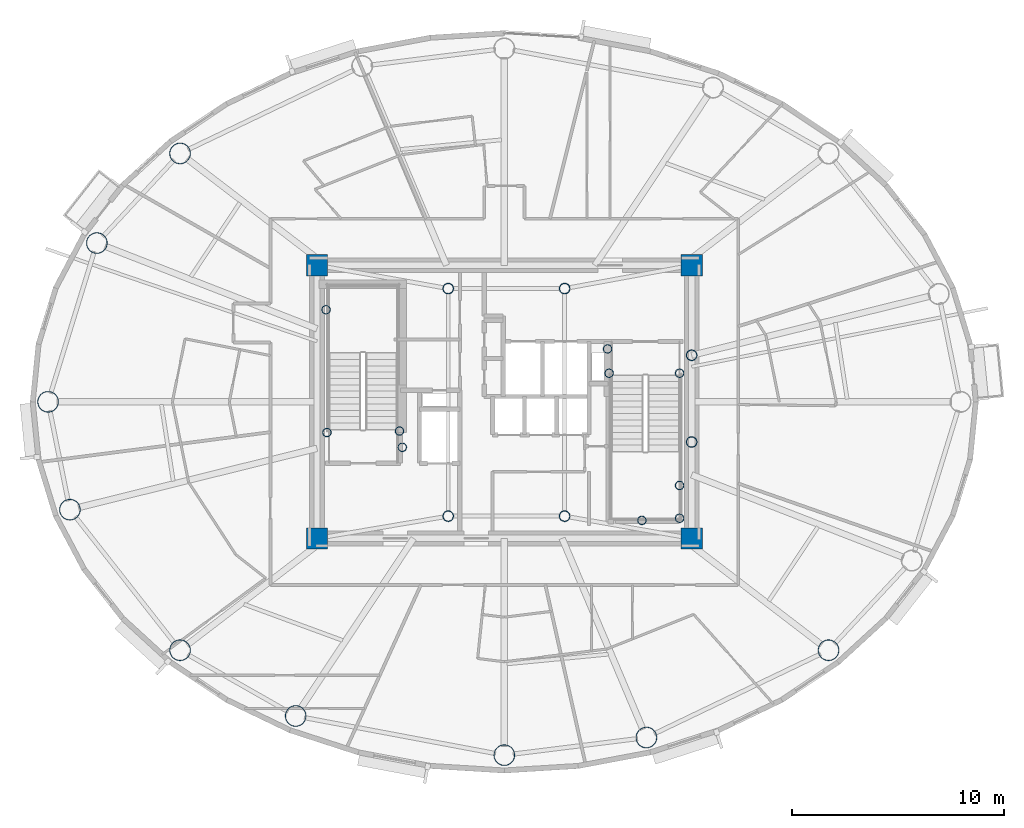
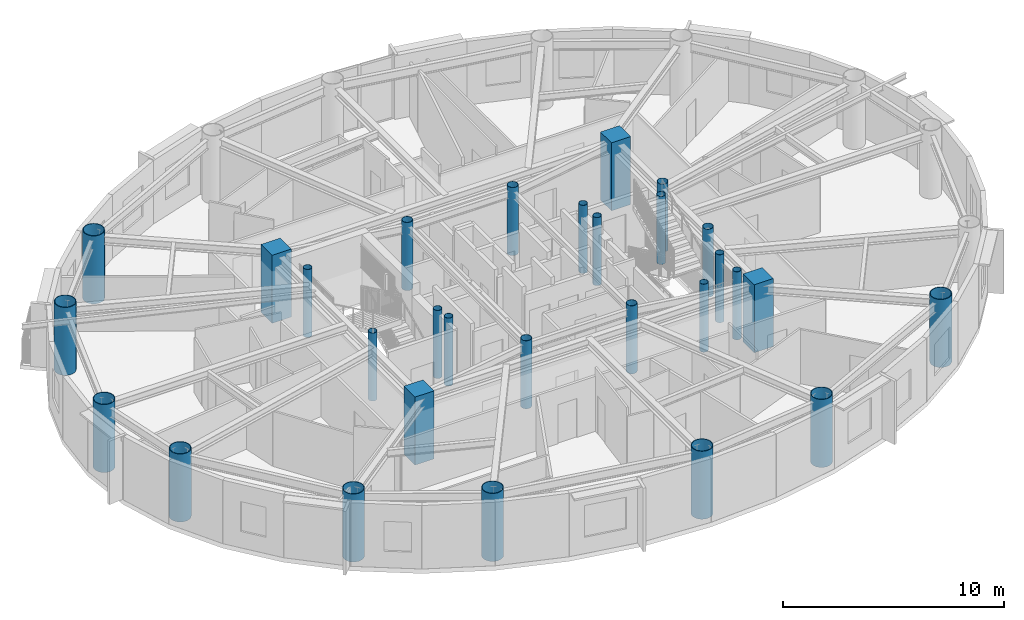
# One storey, part 1 of 17: 29 columns.
"""IFC4 building model written with IfcOpenShell, lengths in metres."""

from ifc_helpers import new_model, si_unit, direction, frame, origin, origin_2d, place, context, subcontext, project, spatial, rectangle, hollow_circle, extrude, material, material_profile, profile_set, type_object, element, save


model = new_model("IFC4")

# Units and contexts
model_context = context("Model", 3, precision=1e-05, world=origin(), true_north=direction((0.0, 1.0)))
body_context = subcontext(model_context, "Body", "Model", "MODEL_VIEW")
ifc_project = project(units=[si_unit("LENGTHUNIT", "METRE"), si_unit("AREAUNIT", "SQUARE_METRE"), si_unit("VOLUMEUNIT", "CUBIC_METRE"), si_unit("PLANEANGLEUNIT", "RADIAN"), si_unit("MASSUNIT", "GRAM", prefix="KILO")], contexts=[model_context])

# Site, building, storey
site_placement = place(None, origin())
site = spatial("IfcSite", under=ifc_project, at=site_placement, CompositionType="ELEMENT")
building_placement = place(site_placement, origin())
building = spatial("IfcBuilding", under=site, at=building_placement, Name="Linh Dai School and Residence Tower", CompositionType="ELEMENT")
storey_placement = place(building_placement, frame((0.0, 0.0, 299.25)))
storey = spatial("IfcBuildingStorey", under=building, at=storey_placement, Name="L74", CompositionType="ELEMENT", Elevation=299.25)

# Columns
ifc_material_1 = material(Name="Concrete B45 (C35/45)", Category="concrete")
ifc_material_profile_1 = material_profile(ifc_material_1, rectangle(XDim=1.0, YDim=1.0, at=origin_2d()), Name="RC 1000x1000")
ifc_profile_set_1 = profile_set([ifc_material_profile_1], Name="Concrete B45 (C35/45)")
column_type_1 = type_object("IfcColumnType", Name="COL-CC3", PredefinedType="COLUMN", material=ifc_profile_set_1)
for number, where, z_axis, x_axis, name in (
    (1, (27.14990234375, 20.550048828125, 0.0), (0.0, 0.0, 1.0), (1.0, 0.0, 0.0), "L74 Core Corner Pier CC1"),
    (2, (44.85009765625, 20.550048828125, 0.0), (0.0, 0.0, 1.0), (1.0, 0.0, 0.0), "L74 Core Corner Pier CC2"),
    (3, (44.85009765625, 33.449951171875, 0.0), (0.0, 0.0, 1.0), (1.0, 0.0, 0.0), "L74 Core Corner Pier CC3"),
    (4, (27.14990234375, 33.449951171875, 0.0), (0.0, 0.0, 1.0), (1.0, 0.0, 0.0), "L74 Core Corner Pier CC4"),
):
    element("IfcColumn", number, at=place(storey_placement, frame(where, z_axis=z_axis, x_axis=x_axis)), inside=storey, type_object=column_type_1, Name=name, PredefinedType="COLUMN", context=body_context, shape_type="SweptSolid", body=[
        extrude(rectangle(XDim=1.0, YDim=1.0, at=origin_2d()), origin(), (0.0, 0.0, 1.0), 3.75),
    ])
ifc_material_2 = material(Name="Structural Steel S355JR", Category="steel")
ifc_material_profile_2 = material_profile(ifc_material_2, hollow_circle(Radius=0.203125, WallThickness=0.01611328125, at=origin_2d()), Name="CHS 406.4x16")
ifc_profile_set_2 = profile_set([ifc_material_profile_2], Name="Structural Steel S355JR")
column_type_2 = type_object("IfcColumnType", Name="COL-EC", PredefinedType="COLUMN", material=ifc_profile_set_2)
for number, where, z_axis, x_axis, name in (
    (5, (27.580078125, 31.35009765625, 0.0), (0.0, 0.0, 1.0), (1.0, 0.0, 0.0), "L74 Stair Shaft Landing Support Pier ST1NW"),
    (6, (31.050048828125, 25.6201171875, 0.0), (0.0, 0.0, 1.0), (1.0, 0.0, 0.0), "L74 Stair Shaft Landing Support Pier ST1SE"),
    (7, (31.179931640625, 24.85009765625, 0.0), (0.0, 0.0, 1.0), (1.0, 0.0, 0.0), "L74 Stair Shaft Landing Support Pier ST1SM"),
    (8, (27.6201171875, 25.550048828125, 0.0), (0.0, 0.0, 1.0), (1.0, 0.0, 0.0), "L74 Stair Shaft Landing Support Pier ST1SW"),
    (9, (44.280029296875, 21.5, 0.0), (0.0, 0.0, 1.0), (1.0, 0.0, 0.0), "L74 Stair Shaft Landing Support Pier ST2SE"),
    (10, (44.280029296875, 23.050048828125, 0.0), (0.0, 0.0, 1.0), (1.0, 0.0, 0.0), "L74 Stair Shaft Landing Support Pier ST2NE"),
    (11, (42.5, 21.39990234375, 0.0), (0.0, 0.0, 1.0), (1.0, 0.0, 0.0), "L74 Stair Shaft Landing Support Pier ST2MS"),
    (12, (40.949951171875, 28.35009765625, 0.0), (0.0, 0.0, 1.0), (1.0, 0.0, 0.0), "L74 Stair Shaft Landing Support Pier ST2N1"),
    (13, (44.280029296875, 28.35009765625, 0.0), (0.0, 0.0, 1.0), (1.0, 0.0, 0.0), "L74 Stair Shaft Landing Support Pier ST2N2"),
    (14, (40.8798828125, 29.5, 0.0), (0.0, 0.0, 1.0), (1.0, 0.0, 0.0), "L74 Stair Shaft Landing Support Pier ST2N3"),
):
    element("IfcColumn", number, at=place(storey_placement, frame(where, z_axis=z_axis, x_axis=x_axis)), inside=storey, type_object=column_type_2, Name=name, PredefinedType="COLUMN", context=body_context, shape_type="SweptSolid", body=[
        extrude(hollow_circle(Radius=0.203125, WallThickness=0.01611328125, at=origin_2d()), origin(), (0.0, 0.0, 1.0), 3.75),
    ])
ifc_material_profile_3 = material_profile(ifc_material_2, hollow_circle(Radius=0.5, WallThickness=0.031982421875, at=origin_2d()), Name="CHS 1000x32")
ifc_profile_set_3 = profile_set([ifc_material_profile_3], Name="Structural Steel S355JR")
column_type_3 = type_object("IfcColumnType", Name="COL-MC6", PredefinedType="COLUMN", material=ifc_profile_set_3)
for number, where, z_axis, x_axis, name in (
    (15, (20.684814453125, 38.7333984375, 0.0), (0.0, 0.0, 1.0), (1.0, 0.0, 0.0), "L74 Perimeter CFT Mega-Column MC07"),
    (16, (16.75390625, 34.49951171875, 0.0), (0.0, 0.0, 1.0), (1.0, 0.0, 0.0), "L74 Perimeter CFT Mega-Column MC08"),
    (17, (14.449951171875, 27.0, 0.0), (0.0, 0.0, 1.0), (1.0, 0.0, 0.0), "L74 Perimeter CFT Mega-Column MC09"),
    (18, (15.4814453125, 21.905517578125, 0.0), (0.0, 0.0, 1.0), (1.0, 0.0, 0.0), "L74 Perimeter CFT Mega-Column MC10"),
    (19, (20.684814453125, 15.2666015625, 0.0), (0.0, 0.0, 1.0), (1.0, 0.0, 0.0), "L74 Perimeter CFT Mega-Column MC11"),
    (20, (26.1455078125, 12.1611328125, 0.0), (0.0, 0.0, 1.0), (1.0, 0.0, 0.0), "L74 Perimeter CFT Mega-Column MC12"),
    (21, (36.0, 10.31005859375, 0.0), (0.0, 0.0, 1.0), (1.0, 0.0, 0.0), "L74 Perimeter CFT Mega-Column MC13"),
    (22, (42.71240234375, 11.142333984375, 0.0), (0.0, 0.0, 1.0), (1.0, 0.0, 0.0), "L74 Perimeter CFT Mega-Column MC14"),
    (23, (51.315185546875, 15.2666015625, 0.0), (0.0, 0.0, 1.0), (1.0, 0.0, 0.0), "L74 Perimeter CFT Mega-Column MC15"),
):
    element("IfcColumn", number, at=place(storey_placement, frame(where, z_axis=z_axis, x_axis=x_axis)), inside=storey, type_object=column_type_3, Name=name, PredefinedType="COLUMN", context=body_context, shape_type="SweptSolid", body=[
        extrude(hollow_circle(Radius=0.5, WallThickness=0.031982421875, at=origin_2d()), origin(), (0.0, 0.0, 1.0), 3.75),
    ])
ifc_material_profile_4 = material_profile(ifc_material_2, hollow_circle(Radius=0.25390625, WallThickness=0.02001953125, at=origin_2d()), Name="CHS 508x20")
ifc_profile_set_4 = profile_set([ifc_material_profile_4], Name="Structural Steel S355JR")
column_type_4 = type_object("IfcColumnType", Name="COL-MCP", PredefinedType="COLUMN", material=ifc_profile_set_4)
for number, where, z_axis, x_axis, name in (
    (24, (33.35009765625, 21.60009765625, 0.0), (0.0, 0.0, 1.0), (1.0, 0.0, 0.0), "L74 Core Mast Support Pier MCP1"),
    (25, (38.85009765625, 21.60009765625, 0.0), (0.0, 0.0, 1.0), (1.0, 0.0, 0.0), "L74 Core Mast Support Pier MCP2"),
    (26, (38.85009765625, 32.35009765625, 0.0), (0.0, 0.0, 1.0), (1.0, 0.0, 0.0), "L74 Core Mast Support Pier MCP3"),
    (27, (33.35009765625, 32.35009765625, 0.0), (0.0, 0.0, 1.0), (1.0, 0.0, 0.0), "L74 Core Mast Support Pier MCP4"),
    (28, (44.85009765625, 25.10009765625, 0.0), (0.0, 0.0, 1.0), (1.0, 0.0, 0.0), "L74 Sky-Lounge Core Anchor Pier S"),
    (29, (44.85009765625, 29.199951171875, 0.0), (0.0, 0.0, 1.0), (1.0, 0.0, 0.0), "L74 Sky-Lounge Core Anchor Pier N"),
):
    element("IfcColumn", number, at=place(storey_placement, frame(where, z_axis=z_axis, x_axis=x_axis)), inside=storey, type_object=column_type_4, Name=name, PredefinedType="COLUMN", context=body_context, shape_type="SweptSolid", body=[
        extrude(hollow_circle(Radius=0.25390625, WallThickness=0.02001953125, at=origin_2d()), origin(), (0.0, 0.0, 1.0), 3.75),
    ])

save(model, "model.ifc")
